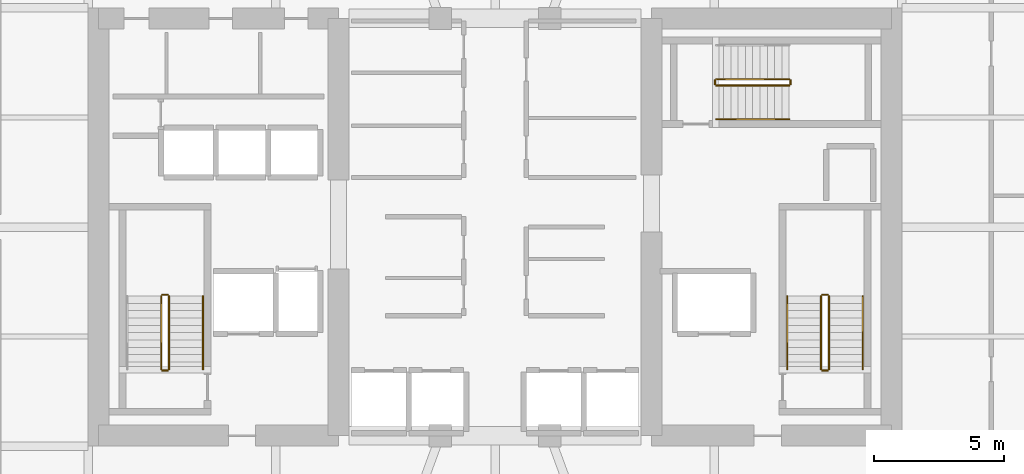
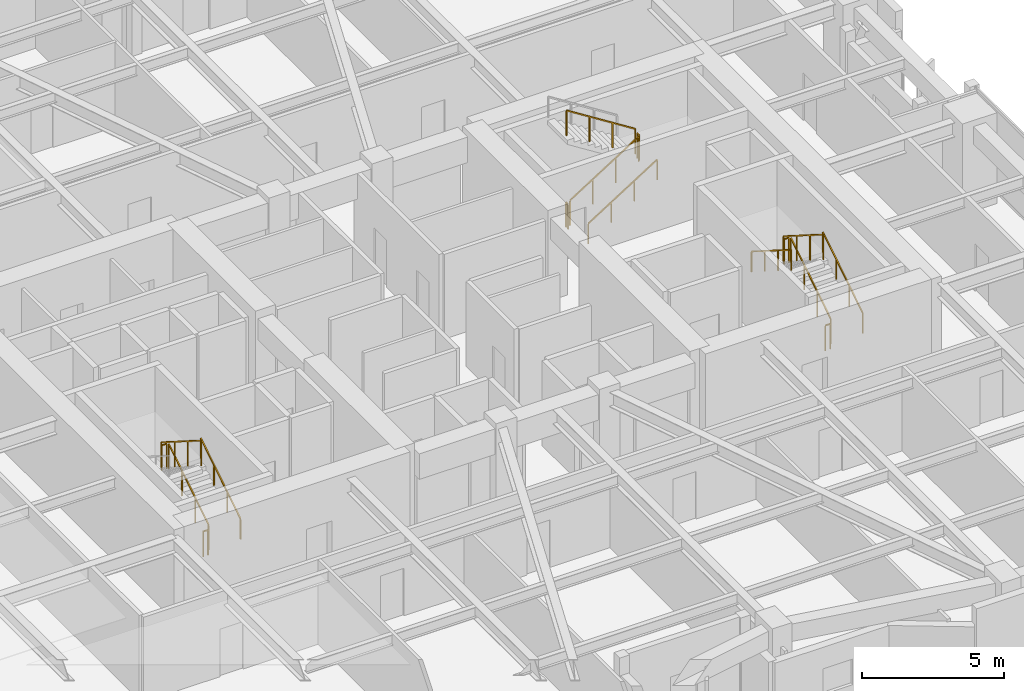
# One storey, part 23 of 24: 16 railings.
"""IFC4 building model written with IfcOpenShell, lengths in metres."""

from ifc_helpers import new_model, si_unit, direction, frame, origin, origin_2d, place, context, subcontext, project, spatial, rectangle, extrude, material, type_object, element, save


model = new_model("IFC4")

# Units and contexts
model_context = context("Model", 3, precision=1e-05, world=origin(), true_north=direction((0.0, 1.0)))
body_context = subcontext(model_context, "Body", "Model", "MODEL_VIEW")
ifc_project = project(units=[si_unit("LENGTHUNIT", "METRE"), si_unit("AREAUNIT", "SQUARE_METRE"), si_unit("VOLUMEUNIT", "CUBIC_METRE"), si_unit("PLANEANGLEUNIT", "RADIAN"), si_unit("MASSUNIT", "GRAM", prefix="KILO")], contexts=[model_context])

# Site, building, storey
site_placement = place(None, origin())
site = spatial("IfcSite", under=ifc_project, at=site_placement, CompositionType="ELEMENT")
building_placement = place(site_placement, origin())
building = spatial("IfcBuilding", under=site, at=building_placement, Name="Kiyonajd Concourse Tower", CompositionType="ELEMENT")
storey_placement = place(building_placement, frame((0.0, 0.0, 97.5)))
storey = spatial("IfcBuildingStorey", under=building, at=storey_placement, Name="L25", CompositionType="ELEMENT", Elevation=97.5)

# Railings
ifc_material_1 = material(Name="Steel ASTM A500 Grade C", Category="steel")
railing_type_1 = type_object("IfcRailingType", Name="RL-GRD-STR", PredefinedType="GUARDRAIL", material=ifc_material_1)
railing_1_placement = place(storey_placement, frame((35.5, 30.550048828125, 0.17724609375)))
element("IfcRailing", 1, at=railing_1_placement, inside=storey, type_object=railing_type_1, Name="L25 ST1 stair guard 1", PredefinedType="GUARDRAIL", context=body_context, shape_type="SweptSolid", body=[
    extrude(rectangle(XDim=0.048095703125, YDim=0.048095703125, at=origin_2d()), frame((0.0, 0.0, 1.076171875), z_axis=(0.0, 0.844908973607, 0.534910110503), x_axis=(-1.0, 0.0, 0.0)), (0.0, 0.0, 1.0), 3.31396484375),
    extrude(rectangle(XDim=0.0419921875, YDim=0.0419921875, at=origin_2d()), origin(), (0.0, 0.0, 1.0), 1.052001953125),
    extrude(rectangle(XDim=0.0419921875, YDim=0.0419921875, at=origin_2d()), frame((0.0, 0.933349609375, 0.5908203125)), (0.0, 0.0, 1.0), 1.052001953125),
    extrude(rectangle(XDim=0.0419921875, YDim=0.0419921875, at=origin_2d()), frame((0.0, 1.86669921875, 1.181884765625)), (0.0, 0.0, 1.0), 1.052001953125),
    extrude(rectangle(XDim=0.0419921875, YDim=0.0419921875, at=origin_2d()), frame((0.0, 2.800048828125, 1.772705078125)), (0.0, 0.0, 1.0), 1.052001953125),
])
railing_2_placement = place(storey_placement, frame((35.449951171875, 33.39990234375, 1.949951171875)))
element("IfcRailing", 2, at=railing_2_placement, inside=storey, type_object=railing_type_1, Name="L25 ST1 stair guard 2", PredefinedType="GUARDRAIL", context=body_context, shape_type="SweptSolid", body=[
    extrude(rectangle(XDim=0.048095703125, YDim=0.048095703125, at=origin_2d()), frame((0.0, 0.0, 1.076171875), z_axis=(-1.0, 0.0, 0.0), x_axis=(0.0, -1.0, 0.0)), (0.0, 0.0, 1.0), 0.199951171875),
    extrude(rectangle(XDim=0.0419921875, YDim=0.0419921875, at=origin_2d()), origin(), (0.0, 0.0, 1.0), 1.052001953125),
    extrude(rectangle(XDim=0.0419921875, YDim=0.0419921875, at=origin_2d()), frame((-0.199951171875, 0.0, 0.0)), (0.0, 0.0, 1.0), 1.052001953125),
])
railing_3_placement = place(storey_placement, frame((35.199951171875, 33.35009765625, 2.127197265625)))
element("IfcRailing", 3, at=railing_3_placement, inside=storey, type_object=railing_type_1, Name="L25 ST1 stair guard 3", PredefinedType="GUARDRAIL", context=body_context, shape_type="SweptSolid", body=[
    extrude(rectangle(XDim=0.048095703125, YDim=0.048095703125, at=origin_2d()), frame((0.0, 0.0, 1.076171875), z_axis=(0.0, -0.844908973607, 0.534910110503), x_axis=(1.0, 0.0, 0.0)), (0.0, 0.0, 1.0), 3.31396484375),
    extrude(rectangle(XDim=0.0419921875, YDim=0.0419921875, at=origin_2d()), origin(), (0.0, 0.0, 1.0), 1.052001953125),
    extrude(rectangle(XDim=0.0419921875, YDim=0.0419921875, at=origin_2d()), frame((0.0, -0.933349609375, 0.5908203125)), (0.0, 0.0, 1.0), 1.052001953125),
    extrude(rectangle(XDim=0.0419921875, YDim=0.0419921875, at=origin_2d()), frame((0.0, -1.86669921875, 1.181884765625)), (0.0, 0.0, 1.0), 1.052001953125),
    extrude(rectangle(XDim=0.0419921875, YDim=0.0419921875, at=origin_2d()), frame((0.0, -2.800048828125, 1.772705078125)), (0.0, 0.0, 1.0), 1.052001953125),
])
railing_4_placement = place(storey_placement, frame((35.449951171875, 30.5, 0.0)))
element("IfcRailing", 4, at=railing_4_placement, inside=storey, type_object=railing_type_1, Name="L25 ST1 stair guard 4", PredefinedType="GUARDRAIL", context=body_context, shape_type="SweptSolid", body=[
    extrude(rectangle(XDim=0.048095703125, YDim=0.048095703125, at=origin_2d()), frame((0.0, 0.0, 1.076171875), z_axis=(-1.0, 0.0, 0.0), x_axis=(0.0, -1.0, 0.0)), (0.0, 0.0, 1.0), 0.199951171875),
    extrude(rectangle(XDim=0.0419921875, YDim=0.0419921875, at=origin_2d()), origin(), (0.0, 0.0, 1.0), 1.052001953125),
    extrude(rectangle(XDim=0.0419921875, YDim=0.0419921875, at=origin_2d()), frame((-0.199951171875, 0.0, 0.0)), (0.0, 0.0, 1.0), 1.052001953125),
])
railing_5_placement = place(storey_placement, frame((60.800048828125, 30.550048828125, 0.17724609375)))
element("IfcRailing", 5, at=railing_5_placement, inside=storey, type_object=railing_type_1, Name="L25 ST2 stair guard 1", PredefinedType="GUARDRAIL", context=body_context, shape_type="SweptSolid", body=[
    extrude(rectangle(XDim=0.048095703125, YDim=0.048095703125, at=origin_2d()), frame((0.0, 0.0, 1.076171875), z_axis=(0.0, 0.844908973607, 0.534910110503), x_axis=(-1.0, 0.0, 0.0)), (0.0, 0.0, 1.0), 3.31396484375),
    extrude(rectangle(XDim=0.0419921875, YDim=0.0419921875, at=origin_2d()), origin(), (0.0, 0.0, 1.0), 1.052001953125),
    extrude(rectangle(XDim=0.0419921875, YDim=0.0419921875, at=origin_2d()), frame((0.0, 0.933349609375, 0.5908203125)), (0.0, 0.0, 1.0), 1.052001953125),
    extrude(rectangle(XDim=0.0419921875, YDim=0.0419921875, at=origin_2d()), frame((0.0, 1.86669921875, 1.181884765625)), (0.0, 0.0, 1.0), 1.052001953125),
    extrude(rectangle(XDim=0.0419921875, YDim=0.0419921875, at=origin_2d()), frame((0.0, 2.800048828125, 1.772705078125)), (0.0, 0.0, 1.0), 1.052001953125),
])
railing_6_placement = place(storey_placement, frame((60.75, 33.39990234375, 1.949951171875)))
element("IfcRailing", 6, at=railing_6_placement, inside=storey, type_object=railing_type_1, Name="L25 ST2 stair guard 2", PredefinedType="GUARDRAIL", context=body_context, shape_type="SweptSolid", body=[
    extrude(rectangle(XDim=0.048095703125, YDim=0.048095703125, at=origin_2d()), frame((0.0, 0.0, 1.076171875), z_axis=(-1.0, 0.0, 0.0), x_axis=(0.0, -1.0, 0.0)), (0.0, 0.0, 1.0), 0.199951171875),
    extrude(rectangle(XDim=0.0419921875, YDim=0.0419921875, at=origin_2d()), origin(), (0.0, 0.0, 1.0), 1.052001953125),
    extrude(rectangle(XDim=0.0419921875, YDim=0.0419921875, at=origin_2d()), frame((-0.199951171875, 0.0, 0.0)), (0.0, 0.0, 1.0), 1.052001953125),
])
railing_7_placement = place(storey_placement, frame((60.5, 33.35009765625, 2.127197265625)))
element("IfcRailing", 7, at=railing_7_placement, inside=storey, type_object=railing_type_1, Name="L25 ST2 stair guard 3", PredefinedType="GUARDRAIL", context=body_context, shape_type="SweptSolid", body=[
    extrude(rectangle(XDim=0.048095703125, YDim=0.048095703125, at=origin_2d()), frame((0.0, 0.0, 1.076171875), z_axis=(0.0, -0.844908973607, 0.534910110503), x_axis=(1.0, 0.0, 0.0)), (0.0, 0.0, 1.0), 3.31396484375),
    extrude(rectangle(XDim=0.0419921875, YDim=0.0419921875, at=origin_2d()), origin(), (0.0, 0.0, 1.0), 1.052001953125),
    extrude(rectangle(XDim=0.0419921875, YDim=0.0419921875, at=origin_2d()), frame((0.0, -0.933349609375, 0.5908203125)), (0.0, 0.0, 1.0), 1.052001953125),
    extrude(rectangle(XDim=0.0419921875, YDim=0.0419921875, at=origin_2d()), frame((0.0, -1.86669921875, 1.181884765625)), (0.0, 0.0, 1.0), 1.052001953125),
    extrude(rectangle(XDim=0.0419921875, YDim=0.0419921875, at=origin_2d()), frame((0.0, -2.800048828125, 1.772705078125)), (0.0, 0.0, 1.0), 1.052001953125),
])
railing_8_placement = place(storey_placement, frame((60.75, 30.5, 0.0)))
element("IfcRailing", 8, at=railing_8_placement, inside=storey, type_object=railing_type_1, Name="L25 ST2 stair guard 4", PredefinedType="GUARDRAIL", context=body_context, shape_type="SweptSolid", body=[
    extrude(rectangle(XDim=0.048095703125, YDim=0.048095703125, at=origin_2d()), frame((0.0, 0.0, 1.076171875), z_axis=(-1.0, 0.0, 0.0), x_axis=(0.0, -1.0, 0.0)), (0.0, 0.0, 1.0), 0.199951171875),
    extrude(rectangle(XDim=0.0419921875, YDim=0.0419921875, at=origin_2d()), origin(), (0.0, 0.0, 1.0), 1.052001953125),
    extrude(rectangle(XDim=0.0419921875, YDim=0.0419921875, at=origin_2d()), frame((-0.199951171875, 0.0, 0.0)), (0.0, 0.0, 1.0), 1.052001953125),
])
railing_9_placement = place(storey_placement, frame((56.47998046875, 41.429931640625, 0.17724609375)))
element("IfcRailing", 9, at=railing_9_placement, inside=storey, type_object=railing_type_1, Name="L25 ST3 stair guard 1", PredefinedType="GUARDRAIL", context=body_context, shape_type="SweptSolid", body=[
    extrude(rectangle(XDim=0.048095703125, YDim=0.048095703125, at=origin_2d()), frame((0.0, 0.0, 1.076171875), z_axis=(0.844908973607, 0.0, 0.534910110503), x_axis=(0.0, 1.0, 0.0)), (0.0, 0.0, 1.0), 3.31396484375),
    extrude(rectangle(XDim=0.0419921875, YDim=0.0419921875, at=origin_2d()), origin(), (0.0, 0.0, 1.0), 1.052001953125),
    extrude(rectangle(XDim=0.0419921875, YDim=0.0419921875, at=origin_2d()), frame((0.933349609375, 0.0, 0.5908203125)), (0.0, 0.0, 1.0), 1.052001953125),
    extrude(rectangle(XDim=0.0419921875, YDim=0.0419921875, at=origin_2d()), frame((1.86669921875, 0.0, 1.181884765625)), (0.0, 0.0, 1.0), 1.052001953125),
    extrude(rectangle(XDim=0.0419921875, YDim=0.0419921875, at=origin_2d()), frame((2.800048828125, 0.0, 1.772705078125)), (0.0, 0.0, 1.0), 1.052001953125),
])
railing_10_placement = place(storey_placement, frame((59.330078125, 41.47998046875, 1.949951171875)))
element("IfcRailing", 10, at=railing_10_placement, inside=storey, type_object=railing_type_1, Name="L25 ST3 stair guard 2", PredefinedType="GUARDRAIL", context=body_context, shape_type="SweptSolid", body=[
    extrude(rectangle(XDim=0.048095703125, YDim=0.048095703125, at=origin_2d()), frame((0.0, 0.0, 1.076171875), z_axis=(0.0, 1.0, 0.0), x_axis=(-1.0, 0.0, 0.0)), (0.0, 0.0, 1.0), 0.14013671875),
    extrude(rectangle(XDim=0.0419921875, YDim=0.0419921875, at=origin_2d()), origin(), (0.0, 0.0, 1.0), 1.052001953125),
    extrude(rectangle(XDim=0.0419921875, YDim=0.0419921875, at=origin_2d()), frame((0.0, 0.14013671875, 0.0)), (0.0, 0.0, 1.0), 1.052001953125),
])
railing_11_placement = place(storey_placement, frame((59.280029296875, 41.669921875, 2.127197265625)))
element("IfcRailing", 11, at=railing_11_placement, inside=storey, type_object=railing_type_1, Name="L25 ST3 stair guard 3", PredefinedType="GUARDRAIL", context=body_context, shape_type="SweptSolid", body=[
    extrude(rectangle(XDim=0.048095703125, YDim=0.048095703125, at=origin_2d()), frame((0.0, 0.0, 1.076171875), z_axis=(-0.844908973607, 0.0, 0.534910110503), x_axis=(0.0, -1.0, 0.0)), (0.0, 0.0, 1.0), 3.31396484375),
    extrude(rectangle(XDim=0.0419921875, YDim=0.0419921875, at=origin_2d()), origin(), (0.0, 0.0, 1.0), 1.052001953125),
    extrude(rectangle(XDim=0.0419921875, YDim=0.0419921875, at=origin_2d()), frame((-0.933349609375, 0.0, 0.5908203125)), (0.0, 0.0, 1.0), 1.052001953125),
    extrude(rectangle(XDim=0.0419921875, YDim=0.0419921875, at=origin_2d()), frame((-1.86669921875, 0.0, 1.181884765625)), (0.0, 0.0, 1.0), 1.052001953125),
    extrude(rectangle(XDim=0.0419921875, YDim=0.0419921875, at=origin_2d()), frame((-2.800048828125, 0.0, 1.772705078125)), (0.0, 0.0, 1.0), 1.052001953125),
])
railing_12_placement = place(storey_placement, frame((56.429931640625, 41.47998046875, 0.0)))
element("IfcRailing", 12, at=railing_12_placement, inside=storey, type_object=railing_type_1, Name="L25 ST3 stair guard 4", PredefinedType="GUARDRAIL", context=body_context, shape_type="SweptSolid", body=[
    extrude(rectangle(XDim=0.048095703125, YDim=0.048095703125, at=origin_2d()), frame((0.0, 0.0, 1.076171875), z_axis=(0.0, 1.0, 0.0), x_axis=(-1.0, 0.0, 0.0)), (0.0, 0.0, 1.0), 0.14013671875),
    extrude(rectangle(XDim=0.0419921875, YDim=0.0419921875, at=origin_2d()), origin(), (0.0, 0.0, 1.0), 1.052001953125),
    extrude(rectangle(XDim=0.0419921875, YDim=0.0419921875, at=origin_2d()), frame((0.0, 0.14013671875, 0.0)), (0.0, 0.0, 1.0), 1.052001953125),
])
ifc_material_2 = material(Name="Brushed Stainless Steel Cab Assembly", Category="steel")
railing_type_2 = type_object("IfcRailingType", Name="RL-HND-900", PredefinedType="HANDRAIL", material=ifc_material_2)
for number, where, name in (
    (13, (36.800048828125, 30.550048828125, 0.17724609375), "L25 ST1 stair handrail 1"),
    (14, (62.10009765625, 30.550048828125, 0.17724609375), "L25 ST2 stair handrail 1"),
):
    element("IfcRailing", number, at=place(storey_placement, frame(where)), inside=storey, type_object=railing_type_2, Name=name, PredefinedType="HANDRAIL", context=body_context, shape_type="SweptSolid", body=[
        extrude(rectangle(XDim=0.048095703125, YDim=0.048095703125, at=origin_2d()), frame((0.0, 0.0, 0.8759765625), z_axis=(0.0, 0.844908973607, 0.534910110503), x_axis=(-1.0, 0.0, 0.0)), (0.0, 0.0, 1.0), 3.31396484375),
        extrude(rectangle(XDim=0.0419921875, YDim=0.0419921875, at=origin_2d()), origin(), (0.0, 0.0, 1.0), 0.851806640625),
        extrude(rectangle(XDim=0.0419921875, YDim=0.0419921875, at=origin_2d()), frame((0.0, 0.933349609375, 0.5908203125)), (0.0, 0.0, 1.0), 0.851806640625),
        extrude(rectangle(XDim=0.0419921875, YDim=0.0419921875, at=origin_2d()), frame((0.0, 1.86669921875, 1.181884765625)), (0.0, 0.0, 1.0), 0.851806640625),
        extrude(rectangle(XDim=0.0419921875, YDim=0.0419921875, at=origin_2d()), frame((0.0, 2.800048828125, 1.772705078125)), (0.0, 0.0, 1.0), 0.851806640625),
    ])
railing_13_placement = place(storey_placement, frame((59.199951171875, 33.35009765625, 2.127197265625)))
element("IfcRailing", 15, at=railing_13_placement, inside=storey, type_object=railing_type_2, Name="L25 ST2 stair handrail 2", PredefinedType="HANDRAIL", context=body_context, shape_type="SweptSolid", body=[
    extrude(rectangle(XDim=0.048095703125, YDim=0.048095703125, at=origin_2d()), frame((0.0, 0.0, 0.8759765625), z_axis=(0.0, -0.844908973607, 0.534910110503), x_axis=(1.0, 0.0, 0.0)), (0.0, 0.0, 1.0), 3.31396484375),
    extrude(rectangle(XDim=0.0419921875, YDim=0.0419921875, at=origin_2d()), origin(), (0.0, 0.0, 1.0), 0.851806640625),
    extrude(rectangle(XDim=0.0419921875, YDim=0.0419921875, at=origin_2d()), frame((0.0, -0.933349609375, 0.5908203125)), (0.0, 0.0, 1.0), 0.851806640625),
    extrude(rectangle(XDim=0.0419921875, YDim=0.0419921875, at=origin_2d()), frame((0.0, -1.86669921875, 1.181884765625)), (0.0, 0.0, 1.0), 0.851806640625),
    extrude(rectangle(XDim=0.0419921875, YDim=0.0419921875, at=origin_2d()), frame((0.0, -2.800048828125, 1.772705078125)), (0.0, 0.0, 1.0), 0.851806640625),
])
railing_14_placement = place(storey_placement, frame((56.47998046875, 40.1298828125, 0.17724609375)))
element("IfcRailing", 16, at=railing_14_placement, inside=storey, type_object=railing_type_2, Name="L25 ST3 stair handrail 1", PredefinedType="HANDRAIL", context=body_context, shape_type="SweptSolid", body=[
    extrude(rectangle(XDim=0.048095703125, YDim=0.048095703125, at=origin_2d()), frame((0.0, 0.0, 0.8759765625), z_axis=(0.844908973607, 0.0, 0.534910110503), x_axis=(0.0, 1.0, 0.0)), (0.0, 0.0, 1.0), 3.31396484375),
    extrude(rectangle(XDim=0.0419921875, YDim=0.0419921875, at=origin_2d()), origin(), (0.0, 0.0, 1.0), 0.851806640625),
    extrude(rectangle(XDim=0.0419921875, YDim=0.0419921875, at=origin_2d()), frame((0.933349609375, 0.0, 0.5908203125)), (0.0, 0.0, 1.0), 0.851806640625),
    extrude(rectangle(XDim=0.0419921875, YDim=0.0419921875, at=origin_2d()), frame((1.86669921875, 0.0, 1.181884765625)), (0.0, 0.0, 1.0), 0.851806640625),
    extrude(rectangle(XDim=0.0419921875, YDim=0.0419921875, at=origin_2d()), frame((2.800048828125, 0.0, 1.772705078125)), (0.0, 0.0, 1.0), 0.851806640625),
])

save(model, "model.ifc")
